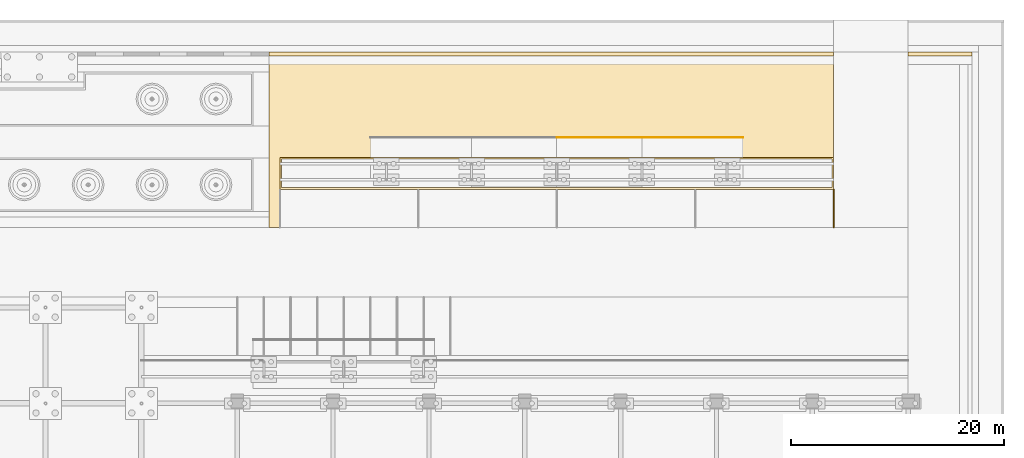
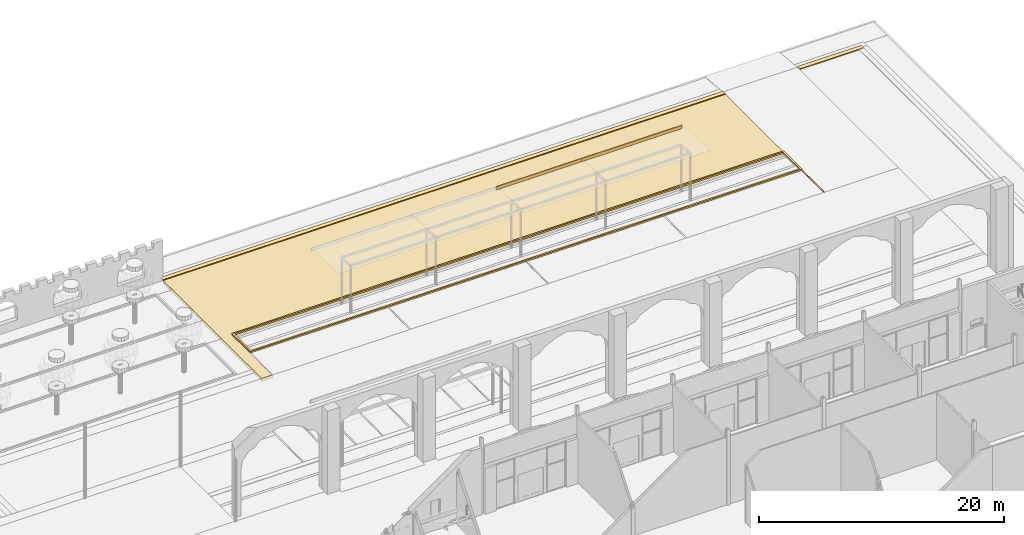
# One storey, part 224 of 250: 7 coverings.
"""IFC4 building model written with IfcOpenShell, lengths in metres."""

from ifc_helpers import new_model, si_unit, direction, frame, origin, origin_2d, place, context, subcontext, project, spatial, polyline, rectangle, outline, extrude, material, layer, layer_set, type_object, element, save


model = new_model("IFC4")

# Units and contexts
model_context = context("Model", 3, precision=1e-05, world=origin(), true_north=direction((0.0, 1.0)))
body_context = subcontext(model_context, "Body", "Model", "MODEL_VIEW")
ifc_project = project(units=[si_unit("LENGTHUNIT", "METRE"), si_unit("AREAUNIT", "SQUARE_METRE"), si_unit("VOLUMEUNIT", "CUBIC_METRE"), si_unit("PLANEANGLEUNIT", "RADIAN"), si_unit("MASSUNIT", "GRAM", prefix="KILO")], contexts=[model_context])

# Site, building, storey
site_placement = place(None, origin())
site = spatial("IfcSite", under=ifc_project, at=site_placement, CompositionType="ELEMENT")
building_placement = place(site_placement, origin())
building = spatial("IfcBuilding", under=site, at=building_placement, Name="Baradari Gate Terminus", CompositionType="ELEMENT")
storey_placement = place(building_placement, origin())
storey = spatial("IfcBuildingStorey", under=building, at=storey_placement, Name="L00", CompositionType="ELEMENT", Elevation=0.0)

# Coverings
ifc_material_1 = material(Name="Road marking paint, white")
ifc_layer_1 = layer(ifc_material_1, 0.0048828125)
ifc_layer_set_1 = layer_set([ifc_layer_1], Name="Road marking paint, white")
covering_type_1 = type_object("IfcCoveringType", Name="Bay line RM-1 5", PredefinedType="USERDEFINED", material=ifc_layer_set_1)
covering_1_placement = place(storey_placement, origin())
element("IfcCovering", 1, at=covering_1_placement, inside=storey, type_object=covering_type_1, Name="Bay line BB 5", ObjectType="ROAD MARKING", PredefinedType="USERDEFINED", context=body_context, shape_type="SweptSolid", body=[
    extrude(outline(polyline([(235.949951171875, 133.5), (236.050048828125, 133.5), (236.050048828125, 137.10009765625), (235.949951171875, 137.10009765625), (235.949951171875, 133.5)])), origin(), (0.0, 0.0, 1.0), 0.0048828125),
])
ifc_material_2 = material(Name="Concrete kerb", Category="concrete")
ifc_layer_2 = layer(ifc_material_2, 0.14990234375)
ifc_layer_set_2 = layer_set([ifc_layer_2], Name="Concrete kerb")
covering_type_2 = type_object("IfcCoveringType", Name="Concrete kerb CK-1 150", PredefinedType="USERDEFINED", material=ifc_layer_set_2)
covering_2_placement = place(storey_placement, origin())
element("IfcCovering", 2, at=covering_2_placement, inside=storey, type_object=covering_type_2, Name="Kerb of bus boarding island", ObjectType="KERB", PredefinedType="USERDEFINED", context=body_context, shape_type="SweptSolid", body=[
    extrude(outline(polyline([(184.0, 137.10009765625), (236.0, 137.10009765625), (236.0, 140.10009765625), (184.0, 140.10009765625), (184.0, 137.10009765625)]), holes=[polyline([(235.85009765625, 139.949951171875), (235.85009765625, 137.25), (184.14990234375, 137.25), (184.14990234375, 139.949951171875), (235.85009765625, 139.949951171875)])]), origin(), (0.0, 0.0, 1.0), 0.14990234375),
])
ifc_material_3 = material(Name="Planted lawn")
ifc_layer_3 = layer(ifc_material_3, 0.300048828125)
ifc_layer_set_3 = layer_set([ifc_layer_3], Name="Planted lawn")
covering_type_3 = type_object("IfcCoveringType", Name="Planted lawn bed LW-1 300", PredefinedType="USERDEFINED", material=ifc_layer_set_3)
covering_3_placement = place(storey_placement, frame((0.0, 0.0, -0.300048828125)))
element("IfcCovering", 3, at=covering_3_placement, inside=storey, type_object=covering_type_3, Name="Planted lawn 20", ObjectType="LAWN", PredefinedType="USERDEFINED", context=body_context, shape_type="SweptSolid", body=[
    extrude(outline(polyline([(236.0, 149.60009765625), (183.0, 149.60009765625), (183.0, 133.5), (184.0, 133.5), (184.0, 137.10009765625), (184.0, 140.10009765625), (236.0, 140.10009765625), (236.0, 149.60009765625)])), origin(), (0.0, 0.0, 1.0), 0.300048828125),
])
ifc_material_4 = material(Name="Weathering steel plate", Category="steel")
ifc_layer_4 = layer(ifc_material_4, 0.06005859375)
ifc_layer_set_4 = layer_set([ifc_layer_4], Name="Weathering steel plate")
covering_type_4 = type_object("IfcCoveringType", Name="Shelter fascia plate SH5 60", PredefinedType="CLADDING", material=ifc_layer_set_4)
covering_4_placement = place(storey_placement, frame((214.0, 141.969970703125, 4.22021484375), z_axis=(0.0, 0.0, 1.0), x_axis=(1.0, 0.0, 0.0)))
element("IfcCovering", 4, at=covering_4_placement, inside=storey, type_object=covering_type_4, Name="Bus shelter fascia 3", PredefinedType="CLADDING", context=body_context, shape_type="SweptSolid", body=[
    extrude(rectangle(XDim=8.0, YDim=0.06005859375, at=origin_2d()), origin(), (0.0, 0.0, 1.0), 0.300048828125),
])
covering_5_placement = place(storey_placement, frame((222.75, 141.969970703125, 4.22021484375), z_axis=(0.0, 0.0, 1.0), x_axis=(1.0, 0.0, 0.0)))
element("IfcCovering", 5, at=covering_5_placement, inside=storey, type_object=covering_type_4, Name="Bus shelter fascia 4", PredefinedType="CLADDING", context=body_context, shape_type="SweptSolid", body=[
    extrude(rectangle(XDim=9.5, YDim=0.06005859375, at=origin_2d()), origin(), (0.0, 0.0, 1.0), 0.300048828125),
])
ifc_material_5 = material(Name="Sandstone", Category="masonry")
ifc_layer_5 = layer(ifc_material_5, 0.080078125)
ifc_layer_set_5 = layer_set([ifc_layer_5], Name="Sandstone")
covering_type_5 = type_object("IfcCoveringType", Name="Stone coping CG-1 80", PredefinedType="CLADDING", material=ifc_layer_set_5)
covering_6_placement = place(storey_placement, origin())
element("IfcCovering", 6, at=covering_6_placement, inside=storey, type_object=covering_type_5, Name="Stone coping N4b", PredefinedType="CLADDING", context=body_context, shape_type="SweptSolid", body=[
    extrude(outline(polyline([(236.0, 149.60009765625), (236.0, 150.0), (183.0, 150.0), (183.0, 149.60009765625), (236.0, 149.60009765625)])), origin(), (0.0, 0.0, 1.0), 0.080078125),
])
covering_7_placement = place(storey_placement, origin())
element("IfcCovering", 7, at=covering_7_placement, inside=storey, type_object=covering_type_5, Name="Stone coping N5", PredefinedType="CLADDING", context=body_context, shape_type="SweptSolid", body=[
    extrude(outline(polyline([(249.0, 149.60009765625), (249.0, 150.0), (243.0, 150.0), (243.0, 149.60009765625), (249.0, 149.60009765625)])), origin(), (0.0, 0.0, 1.0), 0.080078125),
])

save(model, "model.ifc")
